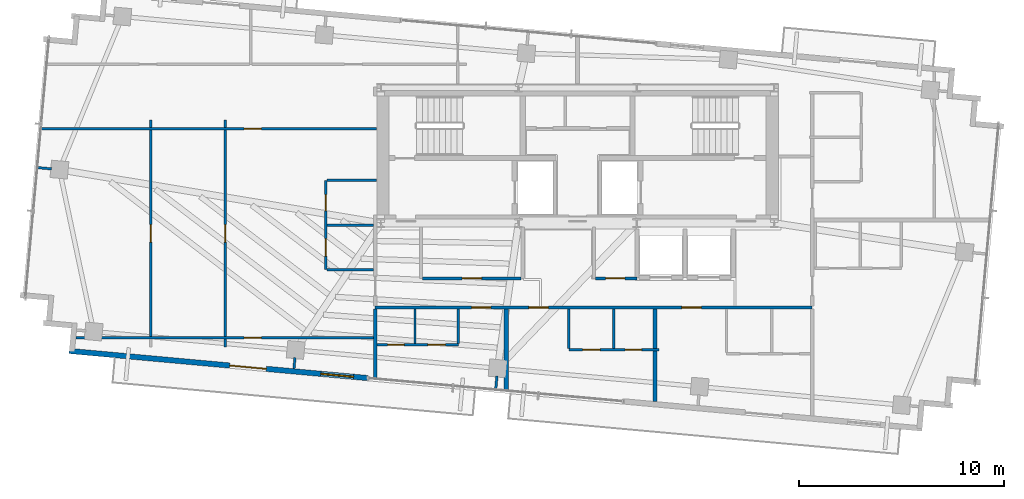
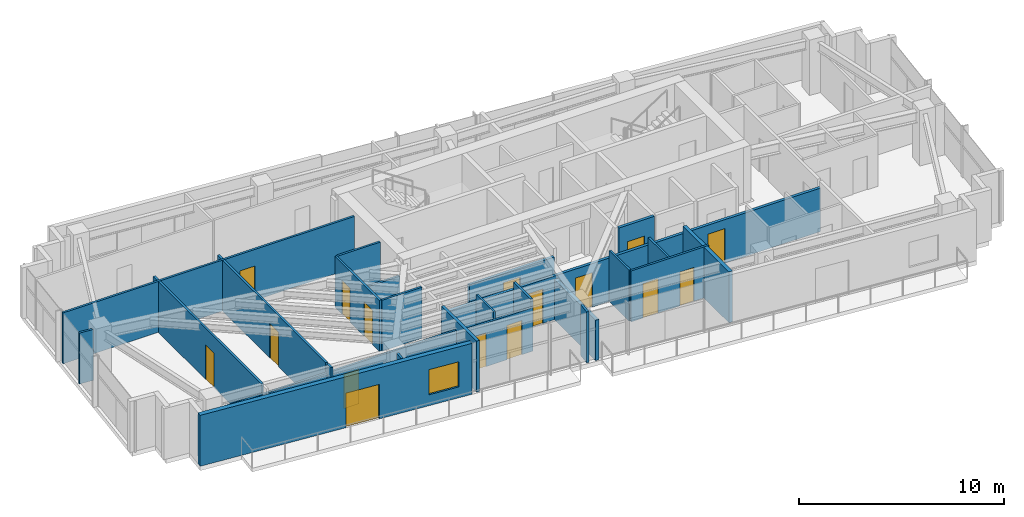
# One storey, part 16 of 22: 28 walls, 16 doors, 1 window, 17 openings.
"""IFC4 building model written with IfcOpenShell, lengths in metres."""

from ifc_helpers import new_model, si_unit, direction, frame, frame_2d, origin, place, context, subcontext, project, spatial, rectangle, extrude, source, transform, mapped, material, layer, layer_set, type_object, type_shapes, element, fill, save


model = new_model("IFC4")

# Units and contexts
model_context = context("Model", 3, precision=1e-05, world=origin(), true_north=direction((0.0, 1.0)))
body_context = subcontext(model_context, "Body", "Model", "MODEL_VIEW")
ifc_project = project(units=[si_unit("LENGTHUNIT", "METRE"), si_unit("AREAUNIT", "SQUARE_METRE"), si_unit("VOLUMEUNIT", "CUBIC_METRE"), si_unit("PLANEANGLEUNIT", "RADIAN"), si_unit("MASSUNIT", "GRAM", prefix="KILO")], contexts=[model_context])

# Site, building, storey
site_placement = place(None, origin())
site = spatial("IfcSite", under=ifc_project, at=site_placement, CompositionType="ELEMENT")
building_placement = place(site_placement, origin())
building = spatial("IfcBuilding", under=site, at=building_placement, Name="Astriad Promenade Condominiums", CompositionType="ELEMENT")
storey_placement = place(building_placement, frame((0.0, 0.0, 236.39990234375)))
storey = spatial("IfcBuildingStorey", under=building, at=storey_placement, Name="L68", CompositionType="ELEMENT", Elevation=236.39990234375)

# Wall, openings, doors
ifc_material_1 = material(Name="Fire-Rated Gypsum Partition")
ifc_layer_1 = layer(ifc_material_1, 0.159912109375)
ifc_layer_set_1 = layer_set([ifc_layer_1], Name="Fire-Rated Gypsum Partition")
wall_type_1 = type_object("IfcWallType", Name="WALL-CORR-160", PredefinedType="PARTITIONING", material=ifc_layer_set_1)
wall_1_placement = place(storey_placement, frame((26.1201171875, 13.280029296875, 0.0), z_axis=(0.0, 0.0, 1.0), x_axis=(1.0, 0.0, 0.0)))
wall_1 = element("IfcWall", 1, at=wall_1_placement, inside=storey, type_object=wall_type_1, Name="PT-COR-S-L68", PredefinedType="PARTITIONING", context=body_context, shape_type="SweptSolid", body=[
    extrude(rectangle(XDim=21.329833984375, YDim=0.159912109375, at=frame_2d((10.6650390625, 0.0))), origin(), (0.0, 0.0, 1.0), 2.5966796875),
])
opening_1_placement = place(wall_1_placement, frame((4.7041015625, 0.0, 0.0)))
opening_1 = element("IfcOpeningElement", 2, at=opening_1_placement, cuts=wall_1, Name="Opening FD60-APT-095", PredefinedType="OPENING", context=body_context, shape_type="SweptSolid", body=[
    extrude(rectangle(XDim=0.949951171875, YDim=2.06005859375, at=frame_2d((0.47509765625, 1.030029296875))), frame((0.0, 0.08984375, 0.0), z_axis=(0.0, -1.0, 0.0), x_axis=(1.0, 0.0, 0.0)), (0.0, 0.0, 1.0), 0.179931640625),
])
opening_2_placement = place(wall_1_placement, frame((7.5, 0.0, 0.0)))
opening_2 = element("IfcOpeningElement", 3, at=opening_2_placement, cuts=wall_1, Name="Opening FD60-APT-095", PredefinedType="OPENING", context=body_context, shape_type="SweptSolid", body=[
    extrude(rectangle(XDim=0.949951171875, YDim=2.06005859375, at=frame_2d((0.47509765625, 1.030029296875))), frame((0.0, 0.08984375, 0.0), z_axis=(0.0, -1.0, 0.0), x_axis=(1.0, 0.0, 0.0)), (0.0, 0.0, 1.0), 0.179931640625),
])
opening_3_placement = place(wall_1_placement, frame((14.97607421875, 0.0, 0.0)))
opening_3 = element("IfcOpeningElement", 4, at=opening_3_placement, cuts=wall_1, Name="Opening FD60-APT-095", PredefinedType="OPENING", context=body_context, shape_type="SweptSolid", body=[
    extrude(rectangle(XDim=0.949951171875, YDim=2.06005859375, at=frame_2d((0.47509765625, 1.030029296875))), frame((0.0, 0.08984375, 0.0), z_axis=(0.0, -1.0, 0.0), x_axis=(1.0, 0.0, 0.0)), (0.0, 0.0, 1.0), 0.179931640625),
])
ifc_material_2 = material(Name="Solid-Core Acoustic Timber Residence Entry Door", Category="wood")
door_type_1 = type_object("IfcDoorType", Name="FD60-APT-095", OperationType="NOTDEFINED", PredefinedType="DOOR", material=ifc_material_2)
shared_shape_1 = source(origin(), body_context, "Body", "SweptSolid", [
    extrude(rectangle(XDim=0.949951171875, YDim=2.06005859375, at=frame_2d((0.47509765625, 1.030029296875))), frame((0.0, 0.02490234375, 0.0), z_axis=(0.0, -1.0, 0.0), x_axis=(1.0, 0.0, 0.0)), (0.0, 0.0, 1.0), 0.050048828125),
])
type_shapes(door_type_1, [shared_shape_1])
door_1_placement = place(opening_1_placement, origin())
door_1 = element("IfcDoor", 5, at=door_1_placement, inside=storey, type_object=door_type_1, Name="D-ENT-L68-S1", OperationType="SINGLE_SWING_LEFT", OverallHeight=2.06005859375, OverallWidth=0.949951171875, PredefinedType="DOOR", context=body_context, shape_type="MappedRepresentation", body=[
    mapped(shared_shape_1, transform((0.0, 0.0, 0.0), scale=1.0)),
])
fill(opening_1, door_1)
door_2_placement = place(opening_2_placement, origin())
door_2 = element("IfcDoor", 6, at=door_2_placement, inside=storey, type_object=door_type_1, Name="D-ENT-L68-S2", OperationType="SINGLE_SWING_RIGHT", OverallHeight=2.06005859375, OverallWidth=0.949951171875, PredefinedType="DOOR", context=body_context, shape_type="MappedRepresentation", body=[
    mapped(shared_shape_1, transform((0.0, 0.0, 0.0), scale=1.0)),
])
fill(opening_2, door_2)
door_3_placement = place(opening_3_placement, origin())
door_3 = element("IfcDoor", 7, at=door_3_placement, inside=storey, type_object=door_type_1, Name="D-ENT-L68-S3", OperationType="SINGLE_SWING_LEFT", OverallHeight=2.06005859375, OverallWidth=0.949951171875, PredefinedType="DOOR", context=body_context, shape_type="MappedRepresentation", body=[
    mapped(shared_shape_1, transform((0.0, 0.0, 0.0), scale=1.0)),
])
fill(opening_3, door_3)

# Wall
wall_2_placement = place(storey_placement, frame((26.1201171875, 9.75146484375, 0.0), z_axis=(0.0, 0.0, 1.0), x_axis=(0.0, 1.0, 0.0)))
element("IfcWall", 8, at=wall_2_placement, inside=storey, type_object=wall_type_1, Name="PT-COR-W-L68", PredefinedType="PARTITIONING", context=body_context, shape_type="SweptSolid", body=[
    extrude(rectangle(XDim=3.446533203125, YDim=0.159912109375, at=frame_2d((1.72314453125, 0.0))), origin(), (0.0, 0.0, 1.0), 3.0400390625),
])

# Wall, opening, door
wall_3_placement = place(storey_placement, frame((28.44189453125, 14.699951171875, 0.0), z_axis=(0.0, 0.0, 1.0), x_axis=(1.0, 0.0, 0.0)))
wall_3 = element("IfcWall", 9, at=wall_3_placement, inside=storey, type_object=wall_type_1, Name="PT-Z3REC-S-L68", PredefinedType="PARTITIONING", context=body_context, shape_type="SweptSolid", body=[
    extrude(rectangle(XDim=4.796142578125, YDim=0.159912109375, at=frame_2d((2.39794921875, 0.0))), origin(), (0.0, 0.0, 1.0), 2.5966796875),
])
opening_4_placement = place(wall_3_placement, frame((1.923095703125, 0.0, 0.0)))
opening_4 = element("IfcOpeningElement", 10, at=opening_4_placement, cuts=wall_3, Name="Opening FD60-APT-095", PredefinedType="OPENING", context=body_context, shape_type="SweptSolid", body=[
    extrude(rectangle(XDim=0.949951171875, YDim=2.06005859375, at=frame_2d((0.47509765625, 1.030029296875))), frame((0.0, 0.08984375, 0.0), z_axis=(0.0, -1.0, 0.0), x_axis=(1.0, 0.0, 0.0)), (0.0, 0.0, 1.0), 0.179931640625),
])
door_4_placement = place(opening_4_placement, origin())
door_4 = element("IfcDoor", 11, at=door_4_placement, inside=storey, type_object=door_type_1, Name="D-Z3R-L68", OperationType="SINGLE_SWING_LEFT", OverallHeight=2.06005859375, OverallWidth=0.949951171875, PredefinedType="DOOR", context=body_context, shape_type="MappedRepresentation", body=[
    mapped(shared_shape_1, transform((0.0, 0.0, 0.0), scale=1.0)),
])
fill(opening_4, door_4)

wall_4_placement = place(storey_placement, frame((36.882080078125, 14.699951171875, 0.0), z_axis=(0.0, 0.0, 1.0), x_axis=(1.0, 0.0, 0.0)))
wall_4 = element("IfcWall", 12, at=wall_4_placement, inside=storey, type_object=wall_type_1, Name="PT-Z3R2-S-L68", PredefinedType="PARTITIONING", context=body_context, shape_type="SweptSolid", body=[
    extrude(rectangle(XDim=2.017822265625, YDim=0.159912109375, at=frame_2d((1.0087890625, 0.0))), origin(), (0.0, 0.0, 1.0), 3.0400390625),
])
opening_5_placement = place(wall_4_placement, frame((0.48291015625, 0.0, 0.0)))
opening_5 = element("IfcOpeningElement", 13, at=opening_5_placement, cuts=wall_4, Name="Opening FD60-APT-095", PredefinedType="OPENING", context=body_context, shape_type="SweptSolid", body=[
    extrude(rectangle(XDim=0.949951171875, YDim=2.06005859375, at=frame_2d((0.47509765625, 1.030029296875))), frame((0.0, 0.08984375, 0.0), z_axis=(0.0, -1.0, 0.0), x_axis=(1.0, 0.0, 0.0)), (0.0, 0.0, 1.0), 0.179931640625),
])
door_5_placement = place(opening_5_placement, origin())
door_5 = element("IfcDoor", 14, at=door_5_placement, inside=storey, type_object=door_type_1, Name="D-Z3N-L68", OperationType="SINGLE_SWING_RIGHT", OverallHeight=2.06005859375, OverallWidth=0.949951171875, PredefinedType="DOOR", context=body_context, shape_type="MappedRepresentation", body=[
    mapped(shared_shape_1, transform((0.0, 0.0, 0.0), scale=1.0)),
])
fill(opening_5, door_5)

# Walls
ifc_material_3 = material(Name="Acoustic Double-Stud Gypsum Partition")
ifc_layer_2 = layer(ifc_material_3, 0.199951171875)
ifc_layer_set_2 = layer_set([ifc_layer_2], Name="Acoustic Double-Stud Gypsum Partition")
wall_type_2 = type_object("IfcWallType", Name="WALL-DEMISING-200", PredefinedType="PARTITIONING", material=ifc_layer_set_2)
wall_5_placement = place(storey_placement, frame((32.51904296875, 9.169189453125, 0.0), z_axis=(0.0, 0.0, 1.0), x_axis=(0.0, 1.0, 0.0)))
element("IfcWall", 15, at=wall_5_placement, inside=storey, type_object=wall_type_2, Name="PT-DEM-S1-L68", PredefinedType="PARTITIONING", context=body_context, shape_type="SweptSolid", body=[
    extrude(rectangle(XDim=4.02880859375, YDim=0.199951171875, at=frame_2d((2.014404296875, 0.0))), origin(), (0.0, 0.0, 1.0), 2.400390625),
])
wall_6_placement = place(storey_placement, frame((39.77099609375, 8.69189453125, 0.0), z_axis=(0.0, 0.0, 1.0), x_axis=(0.0, 1.0, 0.0)))
element("IfcWall", 16, at=wall_6_placement, inside=storey, type_object=wall_type_2, Name="PT-DEM-S2-L68", PredefinedType="PARTITIONING", context=body_context, shape_type="SweptSolid", body=[
    extrude(rectangle(XDim=2.45703125, YDim=0.199951171875, at=frame_2d((1.228515625, 0.0))), origin(), (0.0, 0.0, 1.0), 3.0400390625),
])
wall_7_placement = place(storey_placement, frame((39.77099609375, 11.27294921875, 0.0), z_axis=(0.0, 0.0, 1.0), x_axis=(0.0, 1.0, 0.0)))
element("IfcWall", 17, at=wall_7_placement, inside=storey, type_object=wall_type_2, Name="PT-DEM-S2-L68-S2", PredefinedType="PARTITIONING", context=body_context, shape_type="SweptSolid", body=[
    extrude(rectangle(XDim=1.925048828125, YDim=0.199951171875, at=frame_2d((0.96240234375, 0.0))), origin(), (0.0, 0.0, 1.0), 3.0400390625),
])

# Wall, openings, door, window
ifc_material_4 = material(Name="Precast concrete C50/60", Category="concrete")
ifc_layer_3 = layer(ifc_material_4, 0.260009765625)
ifc_layer_set_3 = layer_set([ifc_layer_3], Name="Precast concrete C50/60")
wall_type_3 = type_object("IfcWallType", Name="WALL-EXT-TWR-260", PredefinedType="STANDARD", material=ifc_layer_set_3)
wall_8_placement = place(storey_placement, frame((25.760986328125, 9.83447265625, 0.0), z_axis=(0.0, 0.0, 1.0), x_axis=(-0.995884584572, 0.090630536861, 0.0)))
wall_8 = element("IfcWall", 18, at=wall_8_placement, inside=storey, type_object=wall_type_3, Name="W-EXT-L68-S2", PredefinedType="STANDARD", context=body_context, shape_type="SweptSolid", body=[
    extrude(rectangle(XDim=14.630126953125, YDim=0.260009765625, at=frame_2d((7.31494140625, 0.0))), origin(), (0.0, 0.0, 1.0), 3.0400390625),
])
opening_6_placement = place(wall_8_placement, frame((4.969970703125, 0.0, 0.0)))
opening_6 = element("IfcOpeningElement", 19, at=opening_6_placement, cuts=wall_8, Name="Opening BD-1822-SLD", PredefinedType="OPENING", context=body_context, shape_type="SweptSolid", body=[
    extrude(rectangle(XDim=1.800048828125, YDim=2.06005859375, at=frame_2d((0.89990234375, 1.030029296875))), frame((0.0, 0.139892578125, 0.0), z_axis=(0.0, -1.0, 0.0), x_axis=(1.0, 0.0, 0.0)), (0.0, 0.0, 1.0), 0.280029296875),
])
opening_7_placement = place(wall_8_placement, frame((0.699951171875, 0.0, 0.64990234375)))
opening_7 = element("IfcOpeningElement", 20, at=opening_7_placement, cuts=wall_8, Name="Opening WIN-TWR-1620", PredefinedType="OPENING", context=body_context, shape_type="SweptSolid", body=[
    extrude(rectangle(XDim=1.60009765625, YDim=1.5, at=frame_2d((0.800048828125, 0.75))), frame((0.0, 0.139892578125, 0.0), z_axis=(0.0, -1.0, 0.0), x_axis=(1.0, 0.0, 0.0)), (0.0, 0.0, 1.0), 0.280029296875),
])
ifc_material_5 = material(Name="Thermally Broken Aluminium Sliding Balcony Door", Category="aluminium")
door_type_2 = type_object("IfcDoorType", Name="BD-1822-SLD", OperationType="NOTDEFINED", PredefinedType="DOOR", material=ifc_material_5)
shared_shape_2 = source(origin(), body_context, "Body", "SweptSolid", [
    extrude(rectangle(XDim=1.800048828125, YDim=2.06005859375, at=frame_2d((0.89990234375, 1.030029296875))), frame((0.0, 0.02490234375, 0.0), z_axis=(0.0, -1.0, 0.0), x_axis=(1.0, 0.0, 0.0)), (0.0, 0.0, 1.0), 0.050048828125),
])
type_shapes(door_type_2, [shared_shape_2])
door_6_placement = place(opening_6_placement, origin())
door_6 = element("IfcDoor", 21, at=door_6_placement, inside=storey, type_object=door_type_2, Name="BD-L68-SW", OperationType="SLIDING_TO_LEFT", OverallHeight=2.06005859375, OverallWidth=1.800048828125, PredefinedType="DOOR", context=body_context, shape_type="MappedRepresentation", body=[
    mapped(shared_shape_2, transform((0.0, 0.0, 0.0), scale=1.0)),
])
fill(opening_6, door_6)
ifc_material_6 = material(Name="Dark Tinted Triple-Glazed Aluminium Window", Category="aluminium")
window_type = type_object("IfcWindowType", Name="WIN-TWR-1620", PartitioningType="SINGLE_PANEL", PredefinedType="WINDOW", material=ifc_material_6)
shared_shape_3 = source(origin(), body_context, "Body", "SweptSolid", [
    extrude(rectangle(XDim=1.60009765625, YDim=1.5, at=frame_2d((0.800048828125, 0.75))), frame((0.0, 0.030029296875, 0.0), z_axis=(0.0, -1.0, 0.0), x_axis=(1.0, 0.0, 0.0)), (0.0, 0.0, 1.0), 0.06005859375),
])
type_shapes(window_type, [shared_shape_3])
window_placement = place(opening_7_placement, origin())
window = element("IfcWindow", 22, at=window_placement, inside=storey, type_object=window_type, Name="WIN-L68-SW", OverallHeight=1.5, OverallWidth=1.60009765625, PartitioningType="SINGLE_PANEL", PredefinedType="WINDOW", context=body_context, shape_type="MappedRepresentation", body=[
    mapped(shared_shape_3, transform((0.0, 0.0, 0.0), scale=1.0)),
])
fill(opening_7, window)

# Wall, openings, doors
ifc_material_7 = material(Name="Acoustic Metal-Stud Gypsum Partition")
ifc_layer_4 = layer(ifc_material_7, 0.1201171875)
ifc_layer_set_4 = layer_set([ifc_layer_4], Name="Acoustic Metal-Stud Gypsum Partition")
wall_type_4 = type_object("IfcWallType", Name="WALL-PART-120", PredefinedType="PARTITIONING", material=ifc_layer_set_4)
wall_9_placement = place(storey_placement, frame((26.201904296875, 11.4599609375, 0.0), z_axis=(0.0, 0.0, 1.0), x_axis=(1.0, 0.0, 0.0)))
wall_9 = element("IfcWall", 23, at=wall_9_placement, inside=storey, type_object=wall_type_4, Name="PT-L68-S1-PS", PredefinedType="PARTITIONING", context=body_context, shape_type="SweptSolid", body=[
    extrude(rectangle(XDim=3.97802734375, YDim=0.1201171875, at=frame_2d((1.989013671875, 0.0))), origin(), (0.0, 0.0, 1.0), 2.5966796875),
])
opening_8_placement = place(wall_9_placement, frame((0.531005859375, 0.0, 0.0)))
opening_8 = element("IfcOpeningElement", 24, at=opening_8_placement, cuts=wall_9, Name="Opening D-WET-080", PredefinedType="OPENING", context=body_context, shape_type="SweptSolid", body=[
    extrude(rectangle(XDim=0.800048828125, YDim=2.02001953125, at=frame_2d((0.39990234375, 1.010009765625))), frame((0.0, 0.070068359375, 0.0), z_axis=(0.0, -1.0, 0.0), x_axis=(1.0, 0.0, 0.0)), (0.0, 0.0, 1.0), 0.14013671875),
])
opening_9_placement = place(wall_9_placement, frame((2.49609375, 0.0, 0.0)))
opening_9 = element("IfcOpeningElement", 25, at=opening_9_placement, cuts=wall_9, Name="Opening D-INT-085", PredefinedType="OPENING", context=body_context, shape_type="SweptSolid", body=[
    extrude(rectangle(XDim=0.85009765625, YDim=2.050048828125, at=frame_2d((0.425048828125, 1.02490234375))), frame((0.0, 0.070068359375, 0.0), z_axis=(0.0, -1.0, 0.0), x_axis=(1.0, 0.0, 0.0)), (0.0, 0.0, 1.0), 0.14013671875),
])
ifc_material_8 = material(Name="Moisture-Resistant Timber Bathroom Door", Category="wood")
door_type_3 = type_object("IfcDoorType", Name="D-WET-080", OperationType="NOTDEFINED", PredefinedType="DOOR", material=ifc_material_8)
shared_shape_4 = source(origin(), body_context, "Body", "SweptSolid", [
    extrude(rectangle(XDim=0.800048828125, YDim=2.02001953125, at=frame_2d((0.39990234375, 1.010009765625))), frame((0.0, 0.02490234375, 0.0), z_axis=(0.0, -1.0, 0.0), x_axis=(1.0, 0.0, 0.0)), (0.0, 0.0, 1.0), 0.050048828125),
])
type_shapes(door_type_3, [shared_shape_4])
door_7_placement = place(opening_8_placement, origin())
door_7 = element("IfcDoor", 26, at=door_7_placement, inside=storey, type_object=door_type_3, Name="D-BTH-L68-S1", OperationType="SINGLE_SWING_RIGHT", OverallHeight=2.02001953125, OverallWidth=0.800048828125, PredefinedType="DOOR", context=body_context, shape_type="MappedRepresentation", body=[
    mapped(shared_shape_4, transform((0.0, 0.0, 0.0), scale=1.0)),
])
fill(opening_8, door_7)
ifc_material_9 = material(Name="Painted Solid-Core Timber Room Door", Category="wood")
door_type_4 = type_object("IfcDoorType", Name="D-INT-085", OperationType="NOTDEFINED", PredefinedType="DOOR", material=ifc_material_9)
shared_shape_5 = source(origin(), body_context, "Body", "SweptSolid", [
    extrude(rectangle(XDim=0.85009765625, YDim=2.050048828125, at=frame_2d((0.425048828125, 1.02490234375))), frame((0.0, 0.02490234375, 0.0), z_axis=(0.0, -1.0, 0.0), x_axis=(1.0, 0.0, 0.0)), (0.0, 0.0, 1.0), 0.050048828125),
])
type_shapes(door_type_4, [shared_shape_5])
door_8_placement = place(opening_9_placement, origin())
door_8 = element("IfcDoor", 27, at=door_8_placement, inside=storey, type_object=door_type_4, Name="D-KIT-L68-S1", OperationType="SINGLE_SWING_LEFT", OverallHeight=2.050048828125, OverallWidth=0.85009765625, PredefinedType="DOOR", context=body_context, shape_type="MappedRepresentation", body=[
    mapped(shared_shape_5, transform((0.0, 0.0, 0.0), scale=1.0)),
])
fill(opening_9, door_8)

# Walls
for number, where, z_axis, x_axis, name in (
    (28, (30.179931640625, 11.52197265625, 0.0), (0.0, 0.0, 1.0), (0.0, 1.0, 0.0), "PT-L68-S1-PK"),
    (29, (28.06591796875, 11.52197265625, 0.0), (0.0, 0.0, 1.0), (0.0, 1.0, 0.0), "PT-L68-S1-PB"),
):
    element("IfcWall", number, at=place(storey_placement, frame(where, z_axis=z_axis, x_axis=x_axis)), inside=storey, type_object=wall_type_4, Name=name, PredefinedType="PARTITIONING", context=body_context, shape_type="SweptSolid", body=[
        extrude(rectangle(XDim=1.676025390625, YDim=0.1201171875, at=frame_2d((0.837890625, 0.0))), origin(), (0.0, 0.0, 1.0), 3.0400390625),
    ])

# Wall, openings, doors
wall_10_placement = place(storey_placement, frame((35.571044921875, 11.2109375, 0.0), z_axis=(0.0, 0.0, 1.0), x_axis=(1.0, 0.0, 0.0)))
wall_10 = element("IfcWall", 30, at=wall_10_placement, inside=storey, type_object=wall_type_4, Name="PT-L68-S2-PS", PredefinedType="PARTITIONING", context=body_context, shape_type="SweptSolid", body=[
    extrude(rectangle(XDim=4.39990234375, YDim=0.1201171875, at=frame_2d((2.199951171875, 0.0))), origin(), (0.0, 0.0, 1.0), 3.0400390625),
])
opening_10_placement = place(wall_10_placement, frame((0.675048828125, 0.0, 0.0)))
opening_10 = element("IfcOpeningElement", 31, at=opening_10_placement, cuts=wall_10, Name="Opening D-INT-085", PredefinedType="OPENING", context=body_context, shape_type="SweptSolid", body=[
    extrude(rectangle(XDim=0.85009765625, YDim=2.050048828125, at=frame_2d((0.425048828125, 1.02490234375))), frame((0.0, 0.070068359375, 0.0), z_axis=(0.0, -1.0, 0.0), x_axis=(1.0, 0.0, 0.0)), (0.0, 0.0, 1.0), 0.14013671875),
])
opening_11_placement = place(wall_10_placement, frame((2.75, 0.0, 0.0)))
opening_11 = element("IfcOpeningElement", 32, at=opening_11_placement, cuts=wall_10, Name="Opening D-WET-080", PredefinedType="OPENING", context=body_context, shape_type="SweptSolid", body=[
    extrude(rectangle(XDim=0.800048828125, YDim=2.02001953125, at=frame_2d((0.39990234375, 1.010009765625))), frame((0.0, 0.070068359375, 0.0), z_axis=(0.0, -1.0, 0.0), x_axis=(1.0, 0.0, 0.0)), (0.0, 0.0, 1.0), 0.14013671875),
])
door_9_placement = place(opening_11_placement, origin())
door_9 = element("IfcDoor", 33, at=door_9_placement, inside=storey, type_object=door_type_3, Name="D-BTH-L68-S2", OperationType="SINGLE_SWING_RIGHT", OverallHeight=2.02001953125, OverallWidth=0.800048828125, PredefinedType="DOOR", context=body_context, shape_type="MappedRepresentation", body=[
    mapped(shared_shape_4, transform((0.0, 0.0, 0.0), scale=1.0)),
])
fill(opening_11, door_9)
door_10_placement = place(opening_10_placement, origin())
door_10 = element("IfcDoor", 34, at=door_10_placement, inside=storey, type_object=door_type_4, Name="D-KIT-L68-S2", OperationType="SINGLE_SWING_LEFT", OverallHeight=2.050048828125, OverallWidth=0.85009765625, PredefinedType="DOOR", context=body_context, shape_type="MappedRepresentation", body=[
    mapped(shared_shape_5, transform((0.0, 0.0, 0.0), scale=1.0)),
])
fill(opening_10, door_10)

# Walls
for number, where, z_axis, x_axis, name in (
    (35, (35.571044921875, 11.27294921875, 0.0), (0.0, 0.0, 1.0), (0.0, 1.0, 0.0), "PT-L68-S2-PK"),
    (36, (37.77099609375, 11.27294921875, 0.0), (0.0, 0.0, 1.0), (0.0, 1.0, 0.0), "PT-L68-S2-PB"),
):
    element("IfcWall", number, at=place(storey_placement, frame(where, z_axis=z_axis, x_axis=x_axis)), inside=storey, type_object=wall_type_4, Name=name, PredefinedType="PARTITIONING", context=body_context, shape_type="SweptSolid", body=[
        extrude(rectangle(XDim=1.925048828125, YDim=0.1201171875, at=frame_2d((0.96240234375, 0.0))), origin(), (0.0, 0.0, 1.0), 3.0400390625),
    ])

# Wall, openings, doors
wall_11_placement = place(storey_placement, frame((23.719970703125, 15.1298828125, 0.0), z_axis=(0.0, 0.0, 1.0), x_axis=(0.0, 1.0, 0.0)))
wall_11 = element("IfcWall", 37, at=wall_11_placement, inside=storey, type_object=wall_type_4, Name="PT-L68-W1-PV", PredefinedType="PARTITIONING", context=body_context, shape_type="SweptSolid", body=[
    extrude(rectangle(XDim=4.35009765625, YDim=0.1201171875, at=frame_2d((2.175048828125, 0.0))), origin(), (0.0, 0.0, 1.0), 3.0400390625),
])
opening_12_placement = place(wall_11_placement, frame((0.6630859375, 0.0, 0.0)))
opening_12 = element("IfcOpeningElement", 38, at=opening_12_placement, cuts=wall_11, Name="Opening D-INT-085", PredefinedType="OPENING", context=body_context, shape_type="SweptSolid", body=[
    extrude(rectangle(XDim=0.85009765625, YDim=2.050048828125, at=frame_2d((0.425048828125, 1.02490234375))), frame((0.0, 0.070068359375, 0.0), z_axis=(0.0, -1.0, 0.0), x_axis=(1.0, 0.0, 0.0)), (0.0, 0.0, 1.0), 0.14013671875),
])
opening_13_placement = place(wall_11_placement, frame((2.862060546875, 0.0, 0.0)))
opening_13 = element("IfcOpeningElement", 39, at=opening_13_placement, cuts=wall_11, Name="Opening D-WET-080", PredefinedType="OPENING", context=body_context, shape_type="SweptSolid", body=[
    extrude(rectangle(XDim=0.800048828125, YDim=2.02001953125, at=frame_2d((0.39990234375, 1.010009765625))), frame((0.0, 0.070068359375, 0.0), z_axis=(0.0, -1.0, 0.0), x_axis=(1.0, 0.0, 0.0)), (0.0, 0.0, 1.0), 0.14013671875),
])
door_11_placement = place(opening_13_placement, origin())
door_11 = element("IfcDoor", 40, at=door_11_placement, inside=storey, type_object=door_type_3, Name="D-BTH-L68-W1", OperationType="SINGLE_SWING_RIGHT", OverallHeight=2.02001953125, OverallWidth=0.800048828125, PredefinedType="DOOR", context=body_context, shape_type="MappedRepresentation", body=[
    mapped(shared_shape_4, transform((0.0, 0.0, 0.0), scale=1.0)),
])
fill(opening_13, door_11)
door_12_placement = place(opening_12_placement, origin())
door_12 = element("IfcDoor", 41, at=door_12_placement, inside=storey, type_object=door_type_4, Name="D-KIT-L68-W1", OperationType="SINGLE_SWING_LEFT", OverallHeight=2.050048828125, OverallWidth=0.85009765625, PredefinedType="DOOR", context=body_context, shape_type="MappedRepresentation", body=[
    mapped(shared_shape_5, transform((0.0, 0.0, 0.0), scale=1.0)),
])
fill(opening_12, door_12)

# Walls
wall_12_placement = place(storey_placement, frame((23.781982421875, 17.304931640625, 0.0), z_axis=(0.0, 0.0, 1.0), x_axis=(1.0, 0.0, 0.0)))
element("IfcWall", 42, at=wall_12_placement, inside=storey, type_object=wall_type_4, Name="PT-L68-W1-PM", PredefinedType="PARTITIONING", context=body_context, shape_type="SweptSolid", body=[
    extrude(rectangle(XDim=2.256103515625, YDim=0.1201171875, at=frame_2d((1.1279296875, 0.0))), origin(), (0.0, 0.0, 1.0), 2.381591796875),
])
wall_13_placement = place(storey_placement, frame((23.781982421875, 15.1298828125, 0.0), z_axis=(0.0, 0.0, 1.0), x_axis=(1.0, 0.0, 0.0)))
element("IfcWall", 43, at=wall_13_placement, inside=storey, type_object=wall_type_4, Name="PT-L68-W1-PS", PredefinedType="PARTITIONING", context=body_context, shape_type="SweptSolid", body=[
    extrude(rectangle(XDim=2.256103515625, YDim=0.1201171875, at=frame_2d((1.1279296875, 0.0))), origin(), (0.0, 0.0, 1.0), 3.0400390625),
])
wall_14_placement = place(storey_placement, frame((23.781982421875, 19.47998046875, 0.0), z_axis=(0.0, 0.0, 1.0), x_axis=(1.0, 0.0, 0.0)))
element("IfcWall", 44, at=wall_14_placement, inside=storey, type_object=wall_type_4, Name="PT-L68-W1-PN", PredefinedType="PARTITIONING", context=body_context, shape_type="SweptSolid", body=[
    extrude(rectangle(XDim=2.416015625, YDim=0.1201171875, at=frame_2d((1.2080078125, 0.0))), origin(), (0.0, 0.0, 1.0), 3.0400390625),
])

# Wall, opening, door
wall_15_placement = place(storey_placement, frame((9.747802734375, 22.0009765625, 0.0), z_axis=(0.0, 0.0, 1.0), x_axis=(1.0, 0.0, 0.0)))
wall_15 = element("IfcWall", 45, at=wall_15_placement, inside=storey, type_object=wall_type_4, Name="PT-L68-W1-WDN1", PredefinedType="PARTITIONING", context=body_context, shape_type="SweptSolid", body=[
    extrude(rectangle(XDim=16.4501953125, YDim=0.1201171875, at=frame_2d((8.22509765625, 0.0))), origin(), (0.0, 0.0, 1.0), 3.0400390625),
])
opening_14_placement = place(wall_15_placement, frame((9.97412109375, 0.0, 0.0)))
opening_14 = element("IfcOpeningElement", 46, at=opening_14_placement, cuts=wall_15, Name="Opening D-INT-085", PredefinedType="OPENING", context=body_context, shape_type="SweptSolid", body=[
    extrude(rectangle(XDim=0.85009765625, YDim=2.050048828125, at=frame_2d((0.425048828125, 1.02490234375))), frame((0.0, 0.070068359375, 0.0), z_axis=(0.0, -1.0, 0.0), x_axis=(1.0, 0.0, 0.0)), (0.0, 0.0, 1.0), 0.14013671875),
])
door_13_placement = place(opening_14_placement, origin())
door_13 = element("IfcDoor", 47, at=door_13_placement, inside=storey, type_object=door_type_4, Name="D-WDN1-L68-W1", OperationType="SINGLE_SWING_RIGHT", OverallHeight=2.050048828125, OverallWidth=0.85009765625, PredefinedType="DOOR", context=body_context, shape_type="MappedRepresentation", body=[
    mapped(shared_shape_5, transform((0.0, 0.0, 0.0), scale=1.0)),
])
fill(opening_14, door_13)

wall_16_placement = place(storey_placement, frame((11.51220703125, 11.7958984375, 0.0), z_axis=(0.0, 0.0, 1.0), x_axis=(1.0, 0.0, 0.0)))
wall_16 = element("IfcWall", 48, at=wall_16_placement, inside=storey, type_object=wall_type_4, Name="PT-L68-W1-WDS2", PredefinedType="PARTITIONING", context=body_context, shape_type="SweptSolid", body=[
    extrude(rectangle(XDim=14.52587890625, YDim=0.1201171875, at=frame_2d((7.262939453125, 0.0))), origin(), (0.0, 0.0, 1.0), 2.482666015625),
])
opening_15_placement = place(wall_16_placement, frame((8.209716796875, 0.0, 0.0)))
opening_15 = element("IfcOpeningElement", 49, at=opening_15_placement, cuts=wall_16, Name="Opening D-INT-085", PredefinedType="OPENING", context=body_context, shape_type="SweptSolid", body=[
    extrude(rectangle(XDim=0.85009765625, YDim=2.050048828125, at=frame_2d((0.425048828125, 1.02490234375))), frame((0.0, 0.070068359375, 0.0), z_axis=(0.0, -1.0, 0.0), x_axis=(1.0, 0.0, 0.0)), (0.0, 0.0, 1.0), 0.14013671875),
])
door_14_placement = place(opening_15_placement, origin())
door_14 = element("IfcDoor", 50, at=door_14_placement, inside=storey, type_object=door_type_4, Name="D-WDS2-L68-W1", OperationType="SINGLE_SWING_LEFT", OverallHeight=2.050048828125, OverallWidth=0.85009765625, PredefinedType="DOOR", context=body_context, shape_type="MappedRepresentation", body=[
    mapped(shared_shape_5, transform((0.0, 0.0, 0.0), scale=1.0)),
])
fill(opening_15, door_14)

wall_17_placement = place(storey_placement, frame((15.172119140625, 11.85791015625, 0.0), z_axis=(0.0, 0.0, 1.0), x_axis=(0.0, 1.0, 0.0)))
wall_17 = element("IfcWall", 51, at=wall_17_placement, inside=storey, type_object=wall_type_4, Name="PT-L68-W1-WDV3-S2", PredefinedType="PARTITIONING", context=body_context, shape_type="SweptSolid", body=[
    extrude(rectangle(XDim=10.0810546875, YDim=0.1201171875, at=frame_2d((5.04052734375, 0.0))), origin(), (0.0, 0.0, 1.0), 3.0400390625),
])
opening_16_placement = place(wall_17_placement, frame((4.614990234375, 0.0, 0.0)))
opening_16 = element("IfcOpeningElement", 52, at=opening_16_placement, cuts=wall_17, Name="Opening D-INT-085", PredefinedType="OPENING", context=body_context, shape_type="SweptSolid", body=[
    extrude(rectangle(XDim=0.85009765625, YDim=2.050048828125, at=frame_2d((0.425048828125, 1.02490234375))), frame((0.0, 0.070068359375, 0.0), z_axis=(0.0, -1.0, 0.0), x_axis=(1.0, 0.0, 0.0)), (0.0, 0.0, 1.0), 0.14013671875),
])
door_15_placement = place(opening_16_placement, origin())
door_15 = element("IfcDoor", 53, at=door_15_placement, inside=storey, type_object=door_type_4, Name="D-WDV3-L68-W1", OperationType="SINGLE_SWING_RIGHT", OverallHeight=2.050048828125, OverallWidth=0.85009765625, PredefinedType="DOOR", context=body_context, shape_type="MappedRepresentation", body=[
    mapped(shared_shape_5, transform((0.0, 0.0, 0.0), scale=1.0)),
])
fill(opening_16, door_15)

# Walls
for number, where, z_axis, x_axis, name in (
    (54, (15.172119140625, 22.06298828125, 0.0), (0.0, 0.0, 1.0), (0.0, 1.0, 0.0), "PT-L68-W1-WDV3-S3"),
    (55, (18.797119140625, 11.35595703125, 0.0), (0.0, 0.0, 1.0), (0.0, 1.0, 0.0), "PT-L68-W1-WDV4"),
):
    element("IfcWall", number, at=place(storey_placement, frame(where, z_axis=z_axis, x_axis=x_axis)), inside=storey, type_object=wall_type_4, Name=name, PredefinedType="PARTITIONING", context=body_context, shape_type="SweptSolid", body=[
        extrude(rectangle(XDim=0.3779296875, YDim=0.1201171875, at=frame_2d((0.18896484375, 0.0))), origin(), (0.0, 0.0, 1.0), 3.0400390625),
    ])

# Wall, opening, door
wall_18_placement = place(storey_placement, frame((18.797119140625, 11.85791015625, 0.0), z_axis=(0.0, 0.0, 1.0), x_axis=(0.0, 1.0, 0.0)))
wall_18 = element("IfcWall", 56, at=wall_18_placement, inside=storey, type_object=wall_type_4, Name="PT-L68-W1-WDV4-S2", PredefinedType="PARTITIONING", context=body_context, shape_type="SweptSolid", body=[
    extrude(rectangle(XDim=10.0810546875, YDim=0.1201171875, at=frame_2d((5.04052734375, 0.0))), origin(), (0.0, 0.0, 1.0), 3.0400390625),
])
opening_17_placement = place(wall_18_placement, frame((4.614990234375, 0.0, 0.0)))
opening_17 = element("IfcOpeningElement", 57, at=opening_17_placement, cuts=wall_18, Name="Opening D-INT-085", PredefinedType="OPENING", context=body_context, shape_type="SweptSolid", body=[
    extrude(rectangle(XDim=0.85009765625, YDim=2.050048828125, at=frame_2d((0.425048828125, 1.02490234375))), frame((0.0, 0.070068359375, 0.0), z_axis=(0.0, -1.0, 0.0), x_axis=(1.0, 0.0, 0.0)), (0.0, 0.0, 1.0), 0.14013671875),
])
door_16_placement = place(opening_17_placement, origin())
door_16 = element("IfcDoor", 58, at=door_16_placement, inside=storey, type_object=door_type_4, Name="D-WDV4-L68-W1", OperationType="SINGLE_SWING_LEFT", OverallHeight=2.050048828125, OverallWidth=0.85009765625, PredefinedType="DOOR", context=body_context, shape_type="MappedRepresentation", body=[
    mapped(shared_shape_5, transform((0.0, 0.0, 0.0), scale=1.0)),
])
fill(opening_17, door_16)

# Walls
wall_19_placement = place(storey_placement, frame((18.797119140625, 22.06298828125, 0.0), z_axis=(0.0, 0.0, 1.0), x_axis=(0.0, 1.0, 0.0)))
element("IfcWall", 59, at=wall_19_placement, inside=storey, type_object=wall_type_4, Name="PT-L68-W1-WDV4-S3", PredefinedType="PARTITIONING", context=body_context, shape_type="SweptSolid", body=[
    extrude(rectangle(XDim=0.3779296875, YDim=0.1201171875, at=frame_2d((0.18896484375, 0.0))), origin(), (0.0, 0.0, 1.0), 3.0400390625),
])
wall_20_placement = place(storey_placement, frame((22.206787109375, 10.83056640625, 0.0), z_axis=(0.0, 0.0, 1.0), x_axis=(-0.090781299264, -0.995870852924, 0.0)))
element("IfcWall", 60, at=wall_20_placement, inside=storey, type_object=wall_type_4, Name="PT-PIL-L68-PC02-9", PredefinedType="PARTITIONING", context=body_context, shape_type="SweptSolid", body=[
    extrude(rectangle(XDim=0.537841796875, YDim=0.1201171875, at=frame_2d((0.26904296875, 0.0))), origin(), (0.0, 0.0, 1.0), 3.0400390625),
])
wall_21_placement = place(storey_placement, frame((32.06591796875, 9.933349609375, 0.0), z_axis=(0.0, 0.0, 1.0), x_axis=(-0.090872036342, -0.995862577373, 0.0)))
element("IfcWall", 61, at=wall_21_placement, inside=storey, type_object=wall_type_4, Name="PT-PIL-L68-PC03-10", PredefinedType="PARTITIONING", context=body_context, shape_type="SweptSolid", body=[
    extrude(rectangle(XDim=0.719970703125, YDim=0.1201171875, at=frame_2d((0.35986328125, 0.0))), origin(), (0.0, 0.0, 1.0), 3.0400390625),
])
wall_22_placement = place(storey_placement, frame((10.3330078125, 20.044677734375, 0.0), z_axis=(0.0, 0.0, 1.0), x_axis=(-0.995890573658, 0.09056470228, 0.0)))
element("IfcWall", 62, at=wall_22_placement, inside=storey, type_object=wall_type_4, Name="PT-PIL-L68-PC11-18", PredefinedType="PARTITIONING", context=body_context, shape_type="SweptSolid", body=[
    extrude(rectangle(XDim=0.76025390625, YDim=0.1201171875, at=frame_2d((0.380126953125, 0.0))), origin(), (0.0, 0.0, 1.0), 3.0400390625),
])

save(model, "model.ifc")
